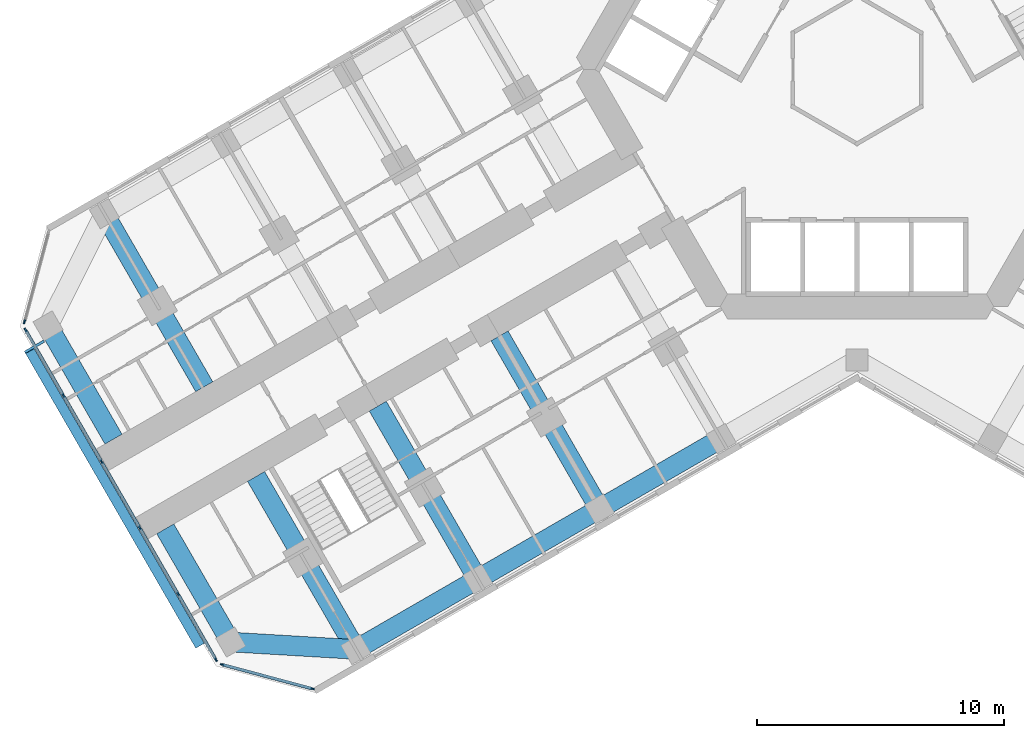
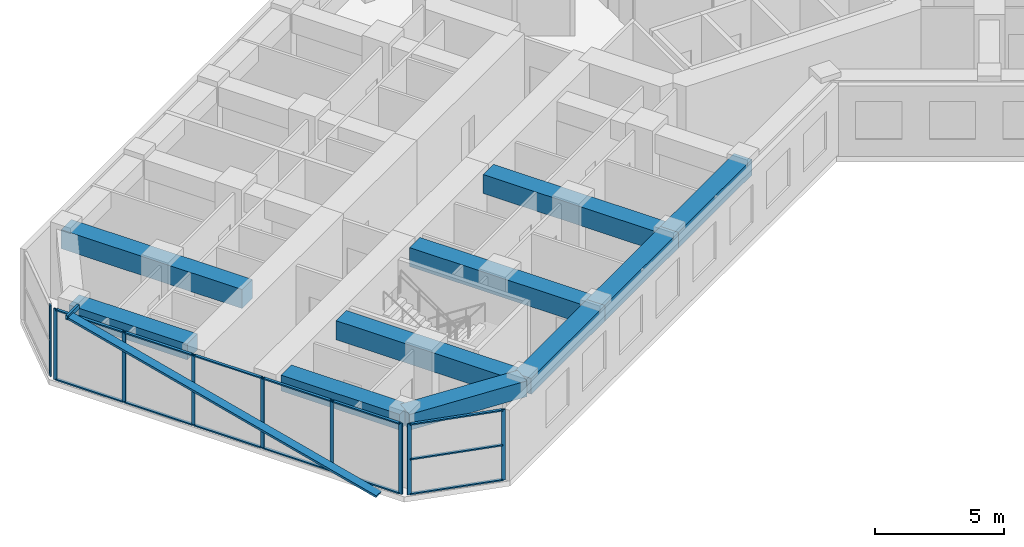
# One storey, part 2 of 22: 24 members, 10 beams, 3 elements without a shape of their own.
"""IFC4 building model written with IfcOpenShell, lengths in metres."""

import ifcopenshell
import ifcopenshell.guid

model = None  # the IFC model being written
_history = None  # IfcOwnerHistory: only IFC2X3 demands one
_inside = {}  # id of a spatial element -> (the spatial element, [elements in it])
_under = {}  # id of a project, library or spatial element -> (it, [spatial elements below it])
_declared = {}  # id of a project -> (the project, [libraries it declares])
_typed = {}  # id of a type object -> (the type object, [elements of that type])
_made_of = {}  # id of a material, layer set ... -> (it, [elements and type objects made of it])


def new_model(schema):
    """Start an empty IFC model of exactly this schema.

    Asked for "IFC4X3", IfcOpenShell would pick the latest addendum, in which some entities
    have other attributes; the version numbers below select the first issue.
    IFC2X3 requires an IfcOwnerHistory on every rooted entity: one is made here for all.
    """
    global model, _history
    if schema == "IFC4X3":
        model = ifcopenshell.file(schema_version=(4, 3, 0, 0))
    else:
        model = ifcopenshell.file(schema=schema)
    _inside.clear()
    _under.clear()
    _declared.clear()
    _typed.clear()
    _made_of.clear()
    _history = None
    if model.schema == "IFC2X3":
        org = make("IfcOrganization", Name="unknown")
        user = make(
            "IfcPersonAndOrganization",
            ThePerson=make("IfcPerson", FamilyName="unknown"),
            TheOrganization=org,
        )
        app = make(
            "IfcApplication",
            ApplicationDeveloper=org,
            Version="unknown",
            ApplicationFullName="unknown",
            ApplicationIdentifier="unknown",
        )
        _history = make(
            "IfcOwnerHistory",
            OwningUser=user,
            OwningApplication=app,
            ChangeAction="ADDED",
            CreationDate=0,
        )
    return model


def make(cls, **values):
    """One entity of the class cls with the attributes given. An attribute that is None is left unset."""
    return model.create_entity(
        cls, **{name: value for name, value in values.items() if value is not None}
    )


def rooted(cls, **values):
    """An entity with a GlobalId (a new one), such as an element, a storey or a relation."""
    return make(cls, GlobalId=ifcopenshell.guid.new(), OwnerHistory=_history, **values)


def si_unit(unit_type, name, prefix=None):
    """IfcSIUnit, for example si_unit("LENGTHUNIT", "METRE", prefix="MILLI")."""
    return make("IfcSIUnit", UnitType=unit_type, Prefix=prefix, Name=name)


def assignment(units):
    """IfcUnitAssignment: the units of a project."""
    return None if units is None else make("IfcUnitAssignment", Units=units)


def point(xyz):
    """IfcCartesianPoint."""
    return None if xyz is None else make("IfcCartesianPoint", Coordinates=xyz)


def direction(xyz):
    """IfcDirection."""
    return None if xyz is None else make("IfcDirection", DirectionRatios=xyz)


def frame(location, z_axis=None, x_axis=None):
    """IfcAxis2Placement3D, a coordinate frame: its origin and axes. An axis left out is left unset."""
    return make(
        "IfcAxis2Placement3D",
        Location=point(location),
        Axis=direction(z_axis),
        RefDirection=direction(x_axis),
    )


def frame_2d(location, x_axis=None):
    """IfcAxis2Placement2D, a coordinate frame in the plane: its origin and x axis."""
    return make(
        "IfcAxis2Placement2D", Location=point(location), RefDirection=direction(x_axis)
    )


def origin():
    """The frame at (0, 0, 0) with its axes left unset."""
    return frame((0.0, 0.0, 0.0))


def origin_2d():
    """The frame at (0, 0) in the plane with its x axis left unset."""
    return frame_2d((0.0, 0.0))


def place(relative_to, where):
    """IfcLocalPlacement: puts the frame where relative to a parent placement (None: the world)."""
    return make(
        "IfcLocalPlacement", PlacementRelTo=relative_to, RelativePlacement=where
    )


def context(
    kind, dimensions, precision=None, world=None, true_north=None, identifier=None
):
    """IfcGeometricRepresentationContext, for example the 3D "Model" context."""
    return make(
        "IfcGeometricRepresentationContext",
        ContextIdentifier=identifier,
        ContextType=kind,
        CoordinateSpaceDimension=dimensions,
        Precision=precision,
        WorldCoordinateSystem=world,
        TrueNorth=true_north,
    )


def subcontext(parent, identifier, kind, view, scale=None):
    """IfcGeometricRepresentationSubContext, for example "Body" below "Model"."""
    return make(
        "IfcGeometricRepresentationSubContext",
        ContextIdentifier=identifier,
        ContextType=kind,
        ParentContext=parent,
        TargetScale=scale,
        TargetView=view,
    )


def project(units=None, contexts=None):
    """IfcProject with its units and contexts."""
    return rooted(
        "IfcProject",
        Name="project",
        RepresentationContexts=contexts,
        UnitsInContext=assignment(units),
    )


def spatial(cls, under=None, at=None, **own):
    """A site, building, storey or space (cls), placed at a placement, below another one or the project."""
    s = rooted(cls, ObjectPlacement=at, **own)
    if under is not None:
        _under.setdefault(under.id(), (under, []))[1].append(s)
    return s


def profile(cls, at=None, kind="AREA", **sizes):
    """A parametric profile (cls). Its sizes go by their IFC names, for example OverallWidth=200.0."""
    return make(cls, ProfileType=kind, Position=at, **sizes)


def rectangle(**sizes):
    """IfcRectangleProfileDef."""
    return profile("IfcRectangleProfileDef", **sizes)


def hollow_rectangle(**sizes):
    """IfcRectangleHollowProfileDef."""
    return profile("IfcRectangleHollowProfileDef", **sizes)


def extrude(swept, where, along, depth):
    """IfcExtrudedAreaSolid: the profile swept, set in the frame where, extruded along a direction by depth."""
    return make(
        "IfcExtrudedAreaSolid",
        SweptArea=swept,
        Position=where,
        ExtrudedDirection=direction(along),
        Depth=depth,
    )


def shape(context_of_items, identifier, shape_type, items):
    """IfcShapeRepresentation: the items that make up one representation, for example the "Body"."""
    return make(
        "IfcShapeRepresentation",
        ContextOfItems=context_of_items,
        RepresentationIdentifier=identifier,
        RepresentationType=shape_type,
        Items=items,
    )


def material(Name=None, Category=None):
    """IfcMaterial."""
    return make("IfcMaterial", Name=Name, Category=Category)


def material_profile(
    of_material, cross_section, Name=None, Category=None, Priority=None
):
    """IfcMaterialProfile: a cross section and its material."""
    return make(
        "IfcMaterialProfile",
        Name=Name,
        Material=of_material,
        Profile=cross_section,
        Priority=Priority,
        Category=Category,
    )


def profile_set(profiles, Name=None, composite=None):
    """IfcMaterialProfileSet."""
    return make(
        "IfcMaterialProfileSet",
        Name=Name,
        MaterialProfiles=profiles,
        CompositeProfile=composite,
    )


def made_of(thing, what):
    """Note that an element or type object is made of a material, layer set ...; save() writes the relation."""
    if what is not None:
        _made_of.setdefault(what.id(), (what, []))[1].append(thing)
    return thing


def type_object(cls, material=None, **own):
    """A type object (cls), such as IfcWallType, which elements share."""
    return made_of(rooted(cls, **own), material)


def element(
    cls,
    number,
    at=None,
    inside=None,
    cuts=None,
    type_object=None,
    material=None,
    context=None,
    identifier="Body",
    shape_type=None,
    held_by="IfcProductDefinitionShape",
    body=None,
    shapes=None,
    **own,
):
    """One element of the class cls, such as IfcWall. Its Tag is "e" and its number.

    at: its placement. inside: the storey or other place that contains it. cuts: it is an
    opening in that element (IfcRelVoidsElement). A single representation is given by context,
    identifier, shape_type and body (its items); several are given by shapes. held_by: the class
    of the entity that holds the representations. save() writes the other relations.
    """
    e = rooted(cls, Tag="e%d" % number, ObjectPlacement=at, **own)
    if body is not None:
        shapes = [shape(context, identifier, shape_type, body)]
    if shapes is not None:
        e.Representation = make(held_by, Representations=shapes)
    if inside is not None:
        _inside.setdefault(inside.id(), (inside, []))[1].append(e)
    if cuts is not None:
        rooted(
            "IfcRelVoidsElement", RelatingBuildingElement=cuts, RelatedOpeningElement=e
        )
    if type_object is not None:
        _typed.setdefault(type_object.id(), (type_object, []))[1].append(e)
    return made_of(e, material)


def aggregate(whole, parts):
    """IfcRelAggregates: a whole, such as a stair, and the parts it consists of."""
    return rooted("IfcRelAggregates", RelatingObject=whole, RelatedObjects=parts)


def save(model, path):
    """Write the relations noted so far, then the file.

    IfcRelAggregates (storeys below a building ...), IfcRelContainedInSpatialStructure (elements
    in a storey), IfcRelDefinesByType, IfcRelAssociatesMaterial and IfcRelDeclares: one each for
    every whole, place, type object, material and project.
    """
    for whole, parts in _under.values():
        aggregate(whole, parts)
    for where, things in _inside.values():
        rooted(
            "IfcRelContainedInSpatialStructure",
            RelatedElements=things,
            RelatingStructure=where,
        )
    for kind, things in _typed.values():
        rooted("IfcRelDefinesByType", RelatedObjects=things, RelatingType=kind)
    for what, things in _made_of.values():
        rooted("IfcRelAssociatesMaterial", RelatedObjects=things, RelatingMaterial=what)
    for by, libraries in _declared.values():
        rooted("IfcRelDeclares", RelatingContext=by, RelatedDefinitions=libraries)
    model.write(path)


model = new_model("IFC4")

# Units and contexts
model_context = context("Model", 3, precision=1e-05, world=origin(), true_north=direction((0.0, 1.0)))
body_context = subcontext(model_context, "Body", "Model", "MODEL_VIEW")
ifc_project = project(units=[si_unit("LENGTHUNIT", "METRE"), si_unit("AREAUNIT", "SQUARE_METRE"), si_unit("VOLUMEUNIT", "CUBIC_METRE"), si_unit("PLANEANGLEUNIT", "RADIAN"), si_unit("MASSUNIT", "GRAM", prefix="KILO")], contexts=[model_context])

# Site, building, storey
site_placement = place(None, origin())
site = spatial("IfcSite", under=ifc_project, at=site_placement, CompositionType="ELEMENT")
building_placement = place(site_placement, origin())
building = spatial("IfcBuilding", under=site, at=building_placement, Name="Kosmar Iwan School Tower", CompositionType="ELEMENT")
storey_placement = place(building_placement, frame((0.0, 0.0, 95.199951171875)))
storey = spatial("IfcBuildingStorey", under=building, at=storey_placement, Name="L23", CompositionType="ELEMENT", Elevation=95.199951171875)

# Members
ifc_material_1 = material(Name="Black anodised aluminium", Category="aluminium")
ifc_material_profile_1 = material_profile(ifc_material_1, rectangle(XDim=0.10009765625, YDim=0.39990234375, at=origin_2d()), Name="FIN 100x400")
ifc_profile_set_1 = profile_set([ifc_material_profile_1], Name="Black anodised aluminium")
member_type_1 = type_object("IfcMemberType", Name="Diagonal fin 100x400", PredefinedType="USERDEFINED", material=ifc_profile_set_1)
member_1_placement = place(storey_placement, frame((-26.645263671875, -23.34912109375, -0.14990234375), z_axis=(-0.483795538458, 0.837973939202, 0.252470897702), x_axis=(0.126233699175, -0.218647221293, 0.967604488318)))
element("IfcMember", 1, at=member_1_placement, inside=storey, type_object=member_type_1, Name="Diagonal fin L23-F13", ObjectType="FIN", PredefinedType="USERDEFINED", context=body_context, shape_type="SweptSolid", body=[
    extrude(rectangle(XDim=0.10009765625, YDim=0.39990234375, at=origin_2d()), origin(), (0.0, 0.0, 1.0), 14.258544921875),
])
ifc_material_2 = material(Name="Steel S355", Category="steel")
ifc_material_profile_2 = material_profile(ifc_material_2, hollow_rectangle(XDim=0.10009765625, YDim=0.199951171875, WallThickness=0.008056640625, at=origin_2d()), Name="RHS 200x100x8")
ifc_profile_set_2 = profile_set([ifc_material_profile_2], Name="Steel S355")
member_type_2 = type_object("IfcMemberType", Name="Fin bracket RHS 200x100", PredefinedType="USERDEFINED", material=ifc_profile_set_2)
member_2_placement = place(storey_placement, frame((-32.963134765625, -11.006103515625, 3.47509765625), z_axis=(-0.866081705922, -0.499902469156, 0.0), x_axis=(0.499902469156, -0.866081705922, 0.0)))
element("IfcMember", 2, at=member_2_placement, inside=storey, type_object=member_type_2, Name="Fin bracket L24", ObjectType="FIN BRACKET", PredefinedType="USERDEFINED", context=body_context, shape_type="SweptSolid", body=[
    extrude(hollow_rectangle(XDim=0.10009765625, YDim=0.199951171875, WallThickness=0.008056640625, at=origin_2d()), origin(), (0.0, 0.0, 1.0), 0.900146484375),
])

# Curtain wall, member
ifc_material_3 = material(Name="Dark glass in black aluminium frame", Category="aluminium")
curtain_wall_type_1 = type_object("IfcCurtainWallType", Name="Chamfer curtain wall dark glass", PredefinedType="USERDEFINED", material=ifc_material_3)
curtain_wall_1_placement = place(storey_placement, origin())
curtain_wall_1 = element("IfcCurtainWall", 3, at=curtain_wall_1_placement, inside=storey, type_object=curtain_wall_type_1, Name="Curtain wall L23-F12", ObjectType="FACETED CURTAIN WALL", PredefinedType="USERDEFINED")
ifc_material_4 = material(Name="Black anodised aluminium", Category="aluminium")
ifc_material_profile_3 = material_profile(ifc_material_4, rectangle(XDim=0.06005859375, YDim=0.159912109375, at=origin_2d()), Name="MULLION 60x160")
ifc_profile_set_3 = profile_set([ifc_material_profile_3], Name="Black anodised aluminium")
member_type_3 = type_object("IfcMemberType", Name="Mullion 60x160", PredefinedType="MULLION", material=ifc_profile_set_3)
member_3_placement = place(storey_placement, frame((-33.7587890625, -10.2236328125, 0.0), z_axis=(0.0, 0.0, 1.0), x_axis=(0.965925875495, -0.258818861462, 0.0)))
member_3 = element("IfcMember", 4, at=member_3_placement, type_object=member_type_3, Name="CW2 mullion 2", PredefinedType="MULLION", context=body_context, shape_type="SweptSolid", body=[
    extrude(rectangle(XDim=0.06005859375, YDim=0.159912109375, at=origin_2d()), origin(), (0.0, 0.0, 1.0), 3.35009765625),
])
aggregate(curtain_wall_1, [member_3])

# Curtain wall, members
ifc_material_5 = material(Name="Dark glass in black aluminium frame", Category="aluminium")
curtain_wall_type_2 = type_object("IfcCurtainWallType", Name="Tower curtain wall dark glass", PredefinedType="USERDEFINED", material=ifc_material_5)
curtain_wall_2_placement = place(storey_placement, origin())
curtain_wall_2 = element("IfcCurtainWall", 5, at=curtain_wall_2_placement, inside=storey, type_object=curtain_wall_type_2, Name="Curtain wall L23-F13", ObjectType="UNITISED CURTAIN WALL", PredefinedType="USERDEFINED")
member_4_placement = place(storey_placement, frame((-33.71533203125, -10.55322265625, 0.0), z_axis=(0.0, 0.0, 1.0), x_axis=(0.866025405329, 0.499999997325, 0.0)))
member_4 = element("IfcMember", 6, at=member_4_placement, type_object=member_type_3, Name="CW1 mullion 1", PredefinedType="MULLION", context=body_context, shape_type="SweptSolid", body=[
    extrude(rectangle(XDim=0.06005859375, YDim=0.159912109375, at=origin_2d()), origin(), (0.0, 0.0, 1.0), 3.35009765625),
])
member_5_placement = place(storey_placement, frame((-32.1806640625, -13.21142578125, 0.0), z_axis=(0.0, 0.0, 1.0), x_axis=(0.866025405329, 0.499999997325, 0.0)))
member_5 = element("IfcMember", 7, at=member_5_placement, type_object=member_type_3, Name="CW1 mullion 2", PredefinedType="MULLION", context=body_context, shape_type="SweptSolid", body=[
    extrude(rectangle(XDim=0.06005859375, YDim=0.159912109375, at=origin_2d()), origin(), (0.0, 0.0, 1.0), 3.35009765625),
])
member_6_placement = place(storey_placement, frame((-30.631103515625, -15.8955078125, 0.0), z_axis=(0.0, 0.0, 1.0), x_axis=(0.866025405329, 0.499999997325, 0.0)))
member_6 = element("IfcMember", 8, at=member_6_placement, type_object=member_type_3, Name="CW1 mullion 3", PredefinedType="MULLION", context=body_context, shape_type="SweptSolid", body=[
    extrude(rectangle(XDim=0.06005859375, YDim=0.159912109375, at=origin_2d()), origin(), (0.0, 0.0, 1.0), 3.35009765625),
])
member_7_placement = place(storey_placement, frame((-29.081298828125, -18.57958984375, 0.0), z_axis=(0.0, 0.0, 1.0), x_axis=(0.866025405329, 0.499999997325, 0.0)))
member_7 = element("IfcMember", 9, at=member_7_placement, type_object=member_type_3, Name="CW1 mullion 4", PredefinedType="MULLION", context=body_context, shape_type="SweptSolid", body=[
    extrude(rectangle(XDim=0.06005859375, YDim=0.159912109375, at=origin_2d()), origin(), (0.0, 0.0, 1.0), 3.35009765625),
])
member_8_placement = place(storey_placement, frame((-27.53173828125, -21.263671875, 0.0), z_axis=(0.0, 0.0, 1.0), x_axis=(0.866025405329, 0.499999997325, 0.0)))
member_8 = element("IfcMember", 10, at=member_8_placement, type_object=member_type_3, Name="CW1 mullion 5", PredefinedType="MULLION", context=body_context, shape_type="SweptSolid", body=[
    extrude(rectangle(XDim=0.06005859375, YDim=0.159912109375, at=origin_2d()), origin(), (0.0, 0.0, 1.0), 3.35009765625),
])
member_9_placement = place(storey_placement, frame((-25.9970703125, -23.921630859375, 0.0), z_axis=(0.0, 0.0, 1.0), x_axis=(0.866025405329, 0.499999997325, 0.0)))
member_9 = element("IfcMember", 11, at=member_9_placement, type_object=member_type_3, Name="CW1 mullion 6", PredefinedType="MULLION", context=body_context, shape_type="SweptSolid", body=[
    extrude(rectangle(XDim=0.06005859375, YDim=0.159912109375, at=origin_2d()), origin(), (0.0, 0.0, 1.0), 3.35009765625),
])

curtain_wall_3_placement = place(storey_placement, origin())
curtain_wall_3 = element("IfcCurtainWall", 12, at=curtain_wall_3_placement, inside=storey, type_object=curtain_wall_type_1, Name="Curtain wall L23-F14", ObjectType="FACETED CURTAIN WALL", PredefinedType="USERDEFINED")
member_10_placement = place(storey_placement, frame((-25.733154296875, -24.124267578125, 0.0), z_axis=(0.0, 0.0, 1.0), x_axis=(0.258818861462, 0.965925875495, 0.0)))
member_10 = element("IfcMember", 13, at=member_10_placement, type_object=member_type_3, Name="CW2 mullion 1", PredefinedType="MULLION", context=body_context, shape_type="SweptSolid", body=[
    extrude(rectangle(XDim=0.06005859375, YDim=0.159912109375, at=origin_2d()), origin(), (0.0, 0.0, 1.0), 3.35009765625),
])
member_11_placement = place(storey_placement, frame((-22.0830078125, -25.102294921875, 0.0), z_axis=(0.0, 0.0, 1.0), x_axis=(0.258818861462, 0.965925875495, 0.0)))
member_11 = element("IfcMember", 14, at=member_11_placement, type_object=member_type_3, Name="CW2 mullion 2", PredefinedType="MULLION", context=body_context, shape_type="SweptSolid", body=[
    extrude(rectangle(XDim=0.06005859375, YDim=0.159912109375, at=origin_2d()), origin(), (0.0, 0.0, 1.0), 3.35009765625),
])

# Beams
ifc_material_6 = material(Name="Concrete C50/60", Category="concrete")
ifc_material_profile_4 = material_profile(ifc_material_6, rectangle(XDim=0.800048828125, YDim=0.75, at=origin_2d()), Name="RC 800x750")
ifc_profile_set_4 = profile_set([ifc_material_profile_4], Name="Concrete C50/60")
beam_type_1 = type_object("IfcBeamType", Name="RC edge beam 800x750", PredefinedType="BEAM", material=ifc_profile_set_4)
beam_1_placement = place(storey_placement, frame((-5.5087890625, -14.95849609375, 2.97509765625), z_axis=(-0.866033658841, -0.49998570155, 0.0), x_axis=(0.49998570155, -0.866033658841, 0.0)))
element("IfcBeam", 15, at=beam_1_placement, inside=storey, type_object=beam_type_1, Name="Edge beam BL2", PredefinedType="BEAM", context=body_context, shape_type="SweptSolid", body=[
    extrude(rectangle(XDim=0.800048828125, YDim=0.75, at=origin_2d()), origin(), (0.0, 0.0, 1.0), 5.699951171875),
])
beam_2_placement = place(storey_placement, frame((-10.445068359375, -17.808349609375, 2.97509765625), z_axis=(-0.866025820012, -0.499999279071, 0.0), x_axis=(0.499999279071, -0.866025820012, 0.0)))
element("IfcBeam", 16, at=beam_2_placement, inside=storey, type_object=beam_type_1, Name="Edge beam BL3", PredefinedType="BEAM", context=body_context, shape_type="SweptSolid", body=[
    extrude(rectangle(XDim=0.800048828125, YDim=0.75, at=origin_2d()), origin(), (0.0, 0.0, 1.0), 5.7001953125),
])
beam_3_placement = place(storey_placement, frame((-15.381591796875, -20.658447265625, 2.97509765625), z_axis=(-0.866015111908, -0.50001782563, 0.0), x_axis=(0.50001782563, -0.866015111908, 0.0)))
element("IfcBeam", 17, at=beam_3_placement, inside=storey, type_object=beam_type_1, Name="Edge beam BL4", PredefinedType="BEAM", context=body_context, shape_type="SweptSolid", body=[
    extrude(rectangle(XDim=0.800048828125, YDim=0.75, at=origin_2d()), origin(), (0.0, 0.0, 1.0), 5.699951171875),
])
ifc_material_7 = material(Name="Concrete C50/60", Category="concrete")
ifc_material_profile_5 = material_profile(ifc_material_7, rectangle(XDim=0.800048828125, YDim=0.75, at=origin_2d()), Name="RC 800x750")
ifc_profile_set_5 = profile_set([ifc_material_profile_5], Name="Concrete C50/60")
beam_type_2 = type_object("IfcBeamType", Name="RC tip beam 800x750", PredefinedType="BEAM", material=ifc_profile_set_5)
beam_4_placement = place(storey_placement, frame((-20.31787109375, -23.508544921875, 2.97509765625), z_axis=(-0.998260616478, 0.058955420358, 0.0), x_axis=(-0.058955420358, -0.998260616478, 0.0)))
element("IfcBeam", 18, at=beam_4_placement, inside=storey, type_object=beam_type_2, Name="Tip beam BL", PredefinedType="BEAM", context=body_context, shape_type="SweptSolid", body=[
    extrude(rectangle(XDim=0.800048828125, YDim=0.75, at=origin_2d()), origin(), (0.0, 0.0, 1.0), 5.08935546875),
])
beam_5_placement = place(storey_placement, frame((-25.3984375, -23.20849609375, 2.97509765625), z_axis=(-0.499993606316, 0.866029095148, 0.0), x_axis=(-0.866029095148, -0.499993606316, 0.0)))
element("IfcBeam", 19, at=beam_5_placement, inside=storey, type_object=beam_type_2, Name="Tip beam BL to corridor wall", PredefinedType="BEAM", context=body_context, shape_type="SweptSolid", body=[
    extrude(rectangle(XDim=0.800048828125, YDim=0.75, at=origin_2d()), origin(), (0.0, 0.0, 1.0), 5.2998046875),
])
beam_6_placement = place(storey_placement, frame((-32.79833984375, -10.391357421875, 2.97509765625), z_axis=(0.499973660256, -0.866040610509, 0.0), x_axis=(0.866040610509, 0.499973660256, 0.0)))
element("IfcBeam", 20, at=beam_6_placement, inside=storey, type_object=beam_type_2, Name="Tip beam BR to corridor wall", PredefinedType="BEAM", context=body_context, shape_type="SweptSolid", body=[
    extrude(rectangle(XDim=0.800048828125, YDim=0.75, at=origin_2d()), origin(), (0.0, 0.0, 1.0), 5.300048828125),
])
ifc_material_8 = material(Name="Concrete C50/60", Category="concrete")
ifc_material_profile_6 = material_profile(ifc_material_8, rectangle(XDim=0.800048828125, YDim=0.89990234375, at=origin_2d()), Name="RC 800x900")
ifc_profile_set_6 = profile_set([ifc_material_profile_6], Name="Concrete C50/60")
beam_type_3 = type_object("IfcBeamType", Name="RC transverse beam 800x900", PredefinedType="BEAM", material=ifc_profile_set_6)
beam_7_placement = place(storey_placement, frame((-10.445068359375, -17.808349609375, 2.900146484375), z_axis=(-0.500012932018, 0.866017937352, 0.0), x_axis=(-0.866017937352, -0.500012932018, 0.0)))
element("IfcBeam", 21, at=beam_7_placement, inside=storey, type_object=beam_type_3, Name="Transverse beam BL2", PredefinedType="BEAM", context=body_context, shape_type="SweptSolid", body=[
    extrude(rectangle(XDim=0.800048828125, YDim=0.89990234375, at=origin_2d()), origin(), (0.0, 0.0, 1.0), 8.099853515625),
])
for number, where, z_axis, x_axis, name in (
    (22, (-15.381591796875, -20.658447265625, 2.900146484375), (-0.499977274689, 0.866038523851, 0.0), (-0.866038523851, -0.499977274689, 0.0), "Transverse beam BL3"),
    (23, (-20.31787109375, -23.508544921875, 2.900146484375), (-0.499999880539, 0.866025472755, 0.0), (-0.866025472755, -0.499999880539, 0.0), "Transverse beam BL4"),
    (24, (-30.517822265625, -5.841552734375, 2.900146484375), (0.499999880539, -0.866025472755, 0.0), (0.866025472755, 0.499999880539, 0.0), "Transverse beam BR4"),
):
    element("IfcBeam", number, at=place(storey_placement, frame(where, z_axis=z_axis, x_axis=x_axis)), inside=storey, type_object=beam_type_3, Name=name, PredefinedType="BEAM", context=body_context, shape_type="SweptSolid", body=[
        extrude(rectangle(XDim=0.800048828125, YDim=0.89990234375, at=origin_2d()), origin(), (0.0, 0.0, 1.0), 8.10009765625),
    ])

# Member
ifc_material_9 = material(Name="Black anodised aluminium", Category="aluminium")
ifc_material_profile_7 = material_profile(ifc_material_9, rectangle(XDim=0.1201171875, YDim=0.06005859375, at=origin_2d()), Name="TRANSOM 60x120")
ifc_profile_set_7 = profile_set([ifc_material_profile_7], Name="Black anodised aluminium")
member_type_4 = type_object("IfcMemberType", Name="Transom 60x120", PredefinedType="USERDEFINED", material=ifc_profile_set_7)
member_12_placement = place(storey_placement, frame((-33.700439453125, -10.579345703125, 0.030029296875), z_axis=(0.500022102064, -0.866012642776, 0.0), x_axis=(0.866012642776, 0.500022102064, 0.0)))
member_12 = element("IfcMember", 25, at=member_12_placement, type_object=member_type_4, Name="CW1 transom 1.1", ObjectType="TRANSOM", PredefinedType="USERDEFINED", context=body_context, shape_type="SweptSolid", body=[
    extrude(rectangle(XDim=0.1201171875, YDim=0.06005859375, at=origin_2d()), origin(), (0.0, 0.0, 1.0), 3.009033203125),
])

member_13_placement = place(storey_placement, frame((-33.700439453125, -10.579345703125, 3.320068359375), z_axis=(0.500022102064, -0.866012642776, 0.0), x_axis=(0.866012642776, 0.500022102064, 0.0)))
member_13 = element("IfcMember", 26, at=member_13_placement, type_object=member_type_4, Name="CW1 transom 1.2", ObjectType="TRANSOM", PredefinedType="USERDEFINED", context=body_context, shape_type="SweptSolid", body=[
    extrude(rectangle(XDim=0.1201171875, YDim=0.06005859375, at=origin_2d()), origin(), (0.0, 0.0, 1.0), 3.009033203125),
])

member_14_placement = place(storey_placement, frame((-32.165771484375, -13.2373046875, 0.030029296875), z_axis=(0.500035348339, -0.866004994449, 0.0), x_axis=(0.866004994449, 0.500035348339, 0.0)))
member_14 = element("IfcMember", 27, at=member_14_placement, type_object=member_type_4, Name="CW1 transom 2.1", ObjectType="TRANSOM", PredefinedType="USERDEFINED", context=body_context, shape_type="SweptSolid", body=[
    extrude(rectangle(XDim=0.1201171875, YDim=0.06005859375, at=origin_2d()), origin(), (0.0, 0.0, 1.0), 3.039306640625),
])

member_15_placement = place(storey_placement, frame((-32.165771484375, -13.2373046875, 3.320068359375), z_axis=(0.500035348339, -0.866004994449, 0.0), x_axis=(0.866004994449, 0.500035348339, 0.0)))
member_15 = element("IfcMember", 28, at=member_15_placement, type_object=member_type_4, Name="CW1 transom 2.2", ObjectType="TRANSOM", PredefinedType="USERDEFINED", context=body_context, shape_type="SweptSolid", body=[
    extrude(rectangle(XDim=0.1201171875, YDim=0.06005859375, at=origin_2d()), origin(), (0.0, 0.0, 1.0), 3.039306640625),
])

member_16_placement = place(storey_placement, frame((-30.615966796875, -15.92138671875, 0.030029296875), z_axis=(0.499975102327, -0.866039777986, 0.0), x_axis=(0.866039777986, 0.499975102327, 0.0)))
member_16 = element("IfcMember", 29, at=member_16_placement, type_object=member_type_4, Name="CW1 transom 3.1", ObjectType="TRANSOM", PredefinedType="USERDEFINED", context=body_context, shape_type="SweptSolid", body=[
    extrude(rectangle(XDim=0.1201171875, YDim=0.06005859375, at=origin_2d()), origin(), (0.0, 0.0, 1.0), 3.039306640625),
])

member_17_placement = place(storey_placement, frame((-30.615966796875, -15.92138671875, 3.320068359375), z_axis=(0.499975102327, -0.866039777986, 0.0), x_axis=(0.866039777986, 0.499975102327, 0.0)))
member_17 = element("IfcMember", 30, at=member_17_placement, type_object=member_type_4, Name="CW1 transom 3.2", ObjectType="TRANSOM", PredefinedType="USERDEFINED", context=body_context, shape_type="SweptSolid", body=[
    extrude(rectangle(XDim=0.1201171875, YDim=0.06005859375, at=origin_2d()), origin(), (0.0, 0.0, 1.0), 3.039306640625),
])

member_18_placement = place(storey_placement, frame((-29.06640625, -18.60546875, 0.030029296875), z_axis=(0.499975102327, -0.866039777986, 0.0), x_axis=(0.866039777986, 0.499975102327, 0.0)))
member_18 = element("IfcMember", 31, at=member_18_placement, type_object=member_type_4, Name="CW1 transom 4.1", ObjectType="TRANSOM", PredefinedType="USERDEFINED", context=body_context, shape_type="SweptSolid", body=[
    extrude(rectangle(XDim=0.1201171875, YDim=0.06005859375, at=origin_2d()), origin(), (0.0, 0.0, 1.0), 3.039306640625),
])

member_19_placement = place(storey_placement, frame((-29.06640625, -18.60546875, 3.320068359375), z_axis=(0.499975102327, -0.866039777986, 0.0), x_axis=(0.866039777986, 0.499975102327, 0.0)))
member_19 = element("IfcMember", 32, at=member_19_placement, type_object=member_type_4, Name="CW1 transom 4.2", ObjectType="TRANSOM", PredefinedType="USERDEFINED", context=body_context, shape_type="SweptSolid", body=[
    extrude(rectangle(XDim=0.1201171875, YDim=0.06005859375, at=origin_2d()), origin(), (0.0, 0.0, 1.0), 3.039306640625),
])

member_20_placement = place(storey_placement, frame((-27.516845703125, -21.28955078125, 0.030029296875), z_axis=(0.499986971506, -0.866032925658, 0.0), x_axis=(0.866032925658, 0.499986971506, 0.0)))
member_20 = element("IfcMember", 33, at=member_20_placement, type_object=member_type_4, Name="CW1 transom 5.1", ObjectType="TRANSOM", PredefinedType="USERDEFINED", context=body_context, shape_type="SweptSolid", body=[
    extrude(rectangle(XDim=0.1201171875, YDim=0.06005859375, at=origin_2d()), origin(), (0.0, 0.0, 1.0), 3.00927734375),
])

member_21_placement = place(storey_placement, frame((-27.516845703125, -21.28955078125, 3.320068359375), z_axis=(0.499986971506, -0.866032925658, 0.0), x_axis=(0.866032925658, 0.499986971506, 0.0)))
member_21 = element("IfcMember", 34, at=member_21_placement, type_object=member_type_4, Name="CW1 transom 5.2", ObjectType="TRANSOM", PredefinedType="USERDEFINED", context=body_context, shape_type="SweptSolid", body=[
    extrude(rectangle(XDim=0.1201171875, YDim=0.06005859375, at=origin_2d()), origin(), (0.0, 0.0, 1.0), 3.00927734375),
])

aggregate(curtain_wall_2, [member_4, member_5, member_6, member_7, member_8, member_9, member_12, member_13, member_14, member_15, member_16, member_17, member_18, member_19, member_20, member_21])

member_22_placement = place(storey_placement, frame((-25.704345703125, -24.1318359375, 0.030029296875), z_axis=(0.965923731726, -0.258826861991, 0.0), x_axis=(0.258826861991, 0.965923731726, 0.0)))
member_22 = element("IfcMember", 35, at=member_22_placement, type_object=member_type_4, Name="CW2 transom 1.1", ObjectType="TRANSOM", PredefinedType="USERDEFINED", context=body_context, shape_type="SweptSolid", body=[
    extrude(rectangle(XDim=0.1201171875, YDim=0.06005859375, at=origin_2d()), origin(), (0.0, 0.0, 1.0), 3.71923828125),
])

member_23_placement = place(storey_placement, frame((-25.704345703125, -24.1318359375, 1.675048828125), z_axis=(0.965923731726, -0.258826861991, 0.0), x_axis=(0.258826861991, 0.965923731726, 0.0)))
member_23 = element("IfcMember", 36, at=member_23_placement, type_object=member_type_4, Name="CW2 transom 1.2", ObjectType="TRANSOM", PredefinedType="USERDEFINED", context=body_context, shape_type="SweptSolid", body=[
    extrude(rectangle(XDim=0.1201171875, YDim=0.06005859375, at=origin_2d()), origin(), (0.0, 0.0, 1.0), 3.71923828125),
])

member_24_placement = place(storey_placement, frame((-25.704345703125, -24.1318359375, 3.320068359375), z_axis=(0.965923731726, -0.258826861991, 0.0), x_axis=(0.258826861991, 0.965923731726, 0.0)))
member_24 = element("IfcMember", 37, at=member_24_placement, type_object=member_type_4, Name="CW2 transom 1.3", ObjectType="TRANSOM", PredefinedType="USERDEFINED", context=body_context, shape_type="SweptSolid", body=[
    extrude(rectangle(XDim=0.1201171875, YDim=0.06005859375, at=origin_2d()), origin(), (0.0, 0.0, 1.0), 3.71923828125),
])

aggregate(curtain_wall_3, [member_10, member_11, member_22, member_23, member_24])

save(model, "model.ifc")
